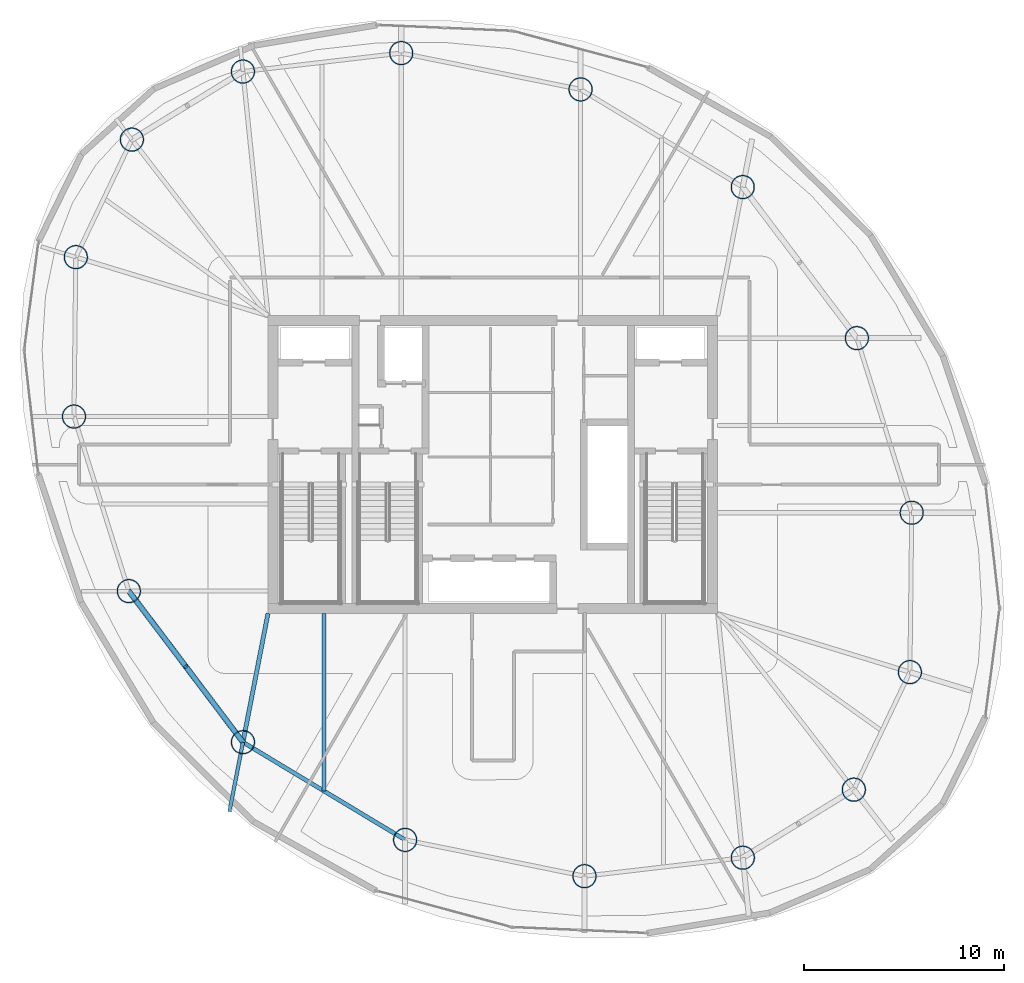
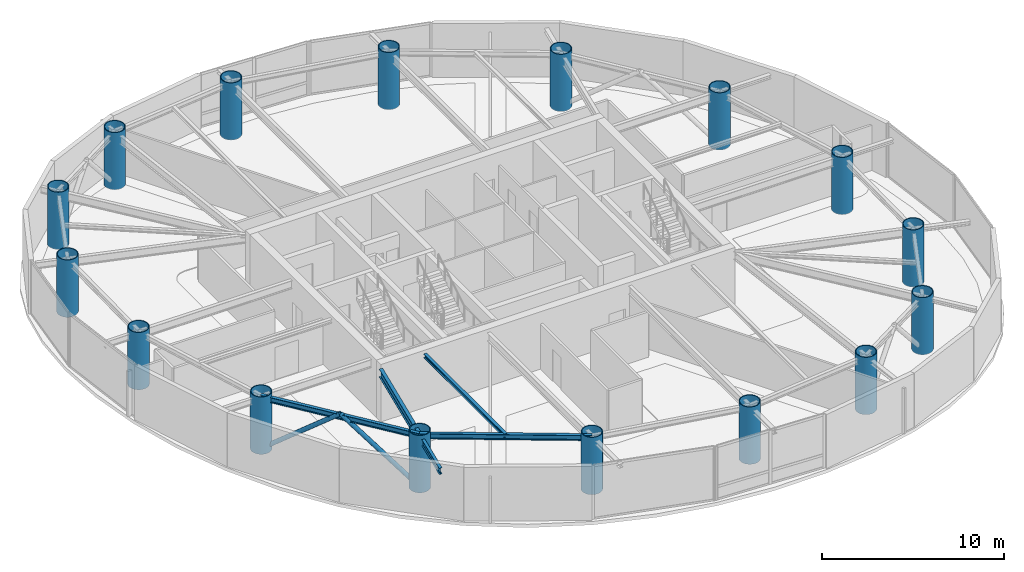
# One storey, part 1 of 20: 16 columns, 5 beams, 2 members.
"""IFC4 building model written with IfcOpenShell, lengths in metres."""

from ifc_helpers import new_model, si_unit, direction, frame, origin, origin_2d, place, context, subcontext, project, spatial, hollow_circle, i_section, extrude, material, material_profile, profile_set, type_object, element, save


model = new_model("IFC4")

# Units and contexts
model_context = context("Model", 3, precision=1e-05, world=origin(), true_north=direction((0.0, 1.0)))
body_context = subcontext(model_context, "Body", "Model", "MODEL_VIEW")
ifc_project = project(units=[si_unit("LENGTHUNIT", "METRE"), si_unit("AREAUNIT", "SQUARE_METRE"), si_unit("VOLUMEUNIT", "CUBIC_METRE"), si_unit("PLANEANGLEUNIT", "RADIAN"), si_unit("MASSUNIT", "GRAM", prefix="KILO")], contexts=[model_context])

# Site, building, storey
site_placement = place(None, origin())
site = spatial("IfcSite", under=ifc_project, at=site_placement, CompositionType="ELEMENT")
building_placement = place(site_placement, origin())
building = spatial("IfcBuilding", under=site, at=building_placement, Name="Bramvorn Convention Spire", CompositionType="ELEMENT")
storey_placement = place(building_placement, frame((0.0, 0.0, 178.89990234375)))
storey = spatial("IfcBuildingStorey", under=building, at=storey_placement, Name="L45", CompositionType="ELEMENT", Elevation=178.89990234375)

# Columns
ifc_material = material(Name="Steel CSA G40.21 Grade 350 (350W)", Category="steel")
ifc_material_profile_1 = material_profile(ifc_material, hollow_circle(Radius=0.60009765625, WallThickness=0.050048828125, at=origin_2d()))
ifc_profile_set_1 = profile_set([ifc_material_profile_1], Name="Steel CSA G40.21 Grade 350 (350W) - CFT1200X50")
column_type = type_object("IfcColumnType", Name="COL-CFT1200X50", PredefinedType="COLUMN", material=ifc_profile_set_1)
for number, where, z_axis, x_axis, name in (
    (1, (56.058349609375, 9.739990234375, 0.0), (0.0, 0.0, 1.0), (1.0, 0.0, 0.0), "L45 composite CFT mega-column MC01"),
    (2, (58.863037109375, 15.619384765625, 0.0), (0.0, 0.0, 1.0), (1.0, 0.0, 0.0), "L45 composite CFT mega-column MC02"),
    (3, (58.95458984375, 23.593505859375, 0.0), (0.0, 0.0, 1.0), (1.0, 0.0, 0.0), "L45 composite CFT mega-column MC03"),
    (4, (56.21044921875, 32.327392578125, 0.0), (0.0, 0.0, 1.0), (1.0, 0.0, 0.0), "L45 composite CFT mega-column MC04"),
    (5, (50.501953125, 39.885009765625, 0.0), (0.0, 0.0, 1.0), (1.0, 0.0, 0.0), "L45 composite CFT mega-column MC05"),
    (6, (42.38916015625, 44.772216796875, 0.0), (0.0, 0.0, 1.0), (1.0, 0.0, 0.0), "L45 composite CFT mega-column MC06"),
    (7, (33.416259765625, 46.58837890625, 0.0), (0.0, 0.0, 1.0), (1.0, 0.0, 0.0), "L45 composite CFT mega-column MC07"),
    (8, (25.49560546875, 45.663818359375, 0.0), (0.0, 0.0, 1.0), (1.0, 0.0, 0.0), "L45 composite CFT mega-column MC08"),
    (9, (19.941650390625, 42.260009765625, 0.0), (0.0, 0.0, 1.0), (1.0, 0.0, 0.0), "L45 composite CFT mega-column MC09"),
    (10, (17.136962890625, 36.380615234375, 0.0), (0.0, 0.0, 1.0), (1.0, 0.0, 0.0), "L45 composite CFT mega-column MC10"),
    (11, (17.04541015625, 28.406494140625, 0.0), (0.0, 0.0, 1.0), (1.0, 0.0, 0.0), "L45 composite CFT mega-column MC11"),
    (12, (19.78955078125, 19.672607421875, 0.0), (0.0, 0.0, 1.0), (1.0, 0.0, 0.0), "L45 composite CFT mega-column MC12"),
    (13, (25.498046875, 12.114990234375, 0.0), (0.0, 0.0, 1.0), (1.0, 0.0, 0.0), "L45 composite CFT mega-column MC13"),
    (14, (33.61083984375, 7.227783203125, 0.0), (0.0, 0.0, 1.0), (1.0, 0.0, 0.0), "L45 composite CFT mega-column MC14"),
    (15, (42.583740234375, 5.41162109375, 0.0), (0.0, 0.0, 1.0), (1.0, 0.0, 0.0), "L45 composite CFT mega-column MC15"),
    (16, (50.50439453125, 6.336181640625, 0.0), (0.0, 0.0, 1.0), (1.0, 0.0, 0.0), "L45 composite CFT mega-column MC16"),
):
    element("IfcColumn", number, at=place(storey_placement, frame(where, z_axis=z_axis, x_axis=x_axis)), inside=storey, type_object=column_type, Name=name, PredefinedType="COLUMN", context=body_context, shape_type="SweptSolid", body=[
        extrude(hollow_circle(Radius=0.60009765625, WallThickness=0.050048828125, at=origin_2d()), origin(), (0.0, 0.0, 1.0), 3.85009765625),
    ])

# Beams
ifc_material_profile_2 = material_profile(ifc_material, i_section(OverallWidth=0.201904296875, OverallDepth=0.2470703125, WebThickness=0.00732421875, FlangeThickness=0.010986328125, FilletRadius=0.011962890625, at=origin_2d()))
ifc_profile_set_2 = profile_set([ifc_material_profile_2], Name="Steel CSA G40.21 Grade 350 (350W) - W250X49")
beam_type_1 = type_object("IfcBeamType", Name="BM-W250X49", PredefinedType="JOIST", material=ifc_profile_set_2)
beam_1_placement = place(storey_placement, frame((29.554443359375, 18.550048828125, 3.49658203125), z_axis=(0.0, -1.0, 0.0), x_axis=(1.0, 0.0, 0.0)))
element("IfcBeam", 17, at=beam_1_placement, inside=storey, type_object=beam_type_1, Name="L45 composite floor joist 13", PredefinedType="JOIST", context=body_context, shape_type="SweptSolid", body=[
    extrude(i_section(OverallWidth=0.201904296875, OverallDepth=0.2470703125, WebThickness=0.00732421875, FlangeThickness=0.010986328125, FilletRadius=0.011962890625, at=origin_2d()), origin(), (0.0, 0.0, 1.0), 8.878662109375),
])
ifc_material_profile_3 = material_profile(ifc_material, i_section(OverallWidth=0.205078125, OverallDepth=0.35400390625, WebThickness=0.009521484375, FlangeThickness=0.016845703125, FilletRadius=0.014892578125, at=origin_2d()))
ifc_profile_set_3 = profile_set([ifc_material_profile_3], Name="Steel CSA G40.21 Grade 350 (350W) - W360X79")
beam_type_2 = type_object("IfcBeamType", Name="BM-W360X79", PredefinedType="JOIST", material=ifc_profile_set_3)
for number, where, z_axis, x_axis, name in (
    (18, (19.78955078125, 19.672607421875, 3.443115234375), (0.602718581414, -0.797953827999, 0.0), (0.797953827999, 0.602718581414, 0.0), "L45 mega-column ring beam 12"),
    (19, (25.498046875, 12.114990234375, 3.443115234375), (0.856581795745, -0.516011266543, 0.0), (0.516011266543, 0.856581795745, 0.0), "L45 mega-column ring beam 13"),
):
    element("IfcBeam", number, at=place(storey_placement, frame(where, z_axis=z_axis, x_axis=x_axis)), inside=storey, type_object=beam_type_2, Name=name, PredefinedType="JOIST", context=body_context, shape_type="SweptSolid", body=[
        extrude(i_section(OverallWidth=0.205078125, OverallDepth=0.35400390625, WebThickness=0.009521484375, FlangeThickness=0.016845703125, FilletRadius=0.014892578125, at=origin_2d()), origin(), (0.0, 0.0, 1.0), 9.47119140625),
    ])
ifc_material_profile_4 = material_profile(ifc_material, i_section(OverallWidth=0.180908203125, OverallDepth=0.4169921875, WebThickness=0.010986328125, FlangeThickness=0.018310546875, FilletRadius=0.01611328125, at=origin_2d()))
ifc_profile_set_4 = profile_set([ifc_material_profile_4], Name="Steel CSA G40.21 Grade 350 (350W) - W410X85")
beam_type_3 = type_object("IfcBeamType", Name="BM-W410X85", PredefinedType="JOIST", material=ifc_profile_set_4)
beam_2_placement = place(storey_placement, frame((25.498046875, 12.114990234375, 3.376708984375), z_axis=(-0.190986131349, -0.981592735116, 0.0), x_axis=(0.981592735116, -0.190986131349, 0.0)))
element("IfcBeam", 20, at=beam_2_placement, inside=storey, type_object=beam_type_3, Name="L45 Sky-Garden cantilever tip girder MC13", PredefinedType="JOIST", context=body_context, shape_type="SweptSolid", body=[
    extrude(i_section(OverallWidth=0.180908203125, OverallDepth=0.4169921875, WebThickness=0.010986328125, FlangeThickness=0.018310546875, FilletRadius=0.01611328125, at=origin_2d()), origin(), (0.0, 0.0, 1.0), 3.534423828125),
])
ifc_material_profile_5 = material_profile(ifc_material, i_section(OverallWidth=0.2119140625, OverallDepth=0.5439453125, WebThickness=0.01318359375, FlangeThickness=0.021240234375, FilletRadius=0.01904296875, at=origin_2d()))
ifc_profile_set_5 = profile_set([ifc_material_profile_5], Name="Steel CSA G40.21 Grade 350 (350W) - W530X123")
beam_type_4 = type_object("IfcBeamType", Name="BM-W530X123", PredefinedType="BEAM", material=ifc_profile_set_5)
beam_3_placement = place(storey_placement, frame((26.75, 18.550048828125, 3.31298828125), z_axis=(-0.190971329886, -0.981595614885, 0.0), x_axis=(0.981595614885, -0.190971329886, 0.0)))
element("IfcBeam", 21, at=beam_3_placement, inside=storey, type_object=beam_type_4, Name="L45 Sky-Garden back-span radial girder MC13", PredefinedType="BEAM", context=body_context, shape_type="SweptSolid", body=[
    extrude(i_section(OverallWidth=0.2119140625, OverallDepth=0.5439453125, WebThickness=0.01318359375, FlangeThickness=0.021240234375, FilletRadius=0.01904296875, at=origin_2d()), origin(), (0.0, 0.0, 1.0), 6.5556640625),
])

# Members
ifc_material_profile_6 = material_profile(ifc_material, hollow_circle(Radius=0.136474609375, WallThickness=0.0126953125, at=origin_2d()))
ifc_profile_set_6 = profile_set([ifc_material_profile_6], Name="Steel CSA G40.21 Grade 350 (350W) - CHS273X13")
member_type = type_object("IfcMemberType", Name="MBR-CHS273X13", PredefinedType="BRACE", material=ifc_profile_set_6)
for number, where, z_axis, x_axis, name in (
    (22, (19.78955078125, 19.672607421875, 0.0), (0.478834801206, -0.633941070316, 0.607318658137), (0.797953827999, 0.602718581414, 0.0), "L45 perimeter Gothic lancet brace 12A"),
    (23, (25.498046875, 12.114990234375, 0.0), (-0.478834801206, 0.633941070316, 0.607318658137), (-0.797953827999, -0.602718581414, 0.0), "L45 perimeter Gothic lancet brace 12B"),
):
    element("IfcMember", number, at=place(storey_placement, frame(where, z_axis=z_axis, x_axis=x_axis)), inside=storey, type_object=member_type, Name=name, PredefinedType="BRACE", context=body_context, shape_type="SweptSolid", body=[
        extrude(hollow_circle(Radius=0.136474609375, WallThickness=0.0126953125, at=origin_2d()), origin(), (0.0, 0.0, 1.0), 5.9609375),
    ])

save(model, "model.ifc")
